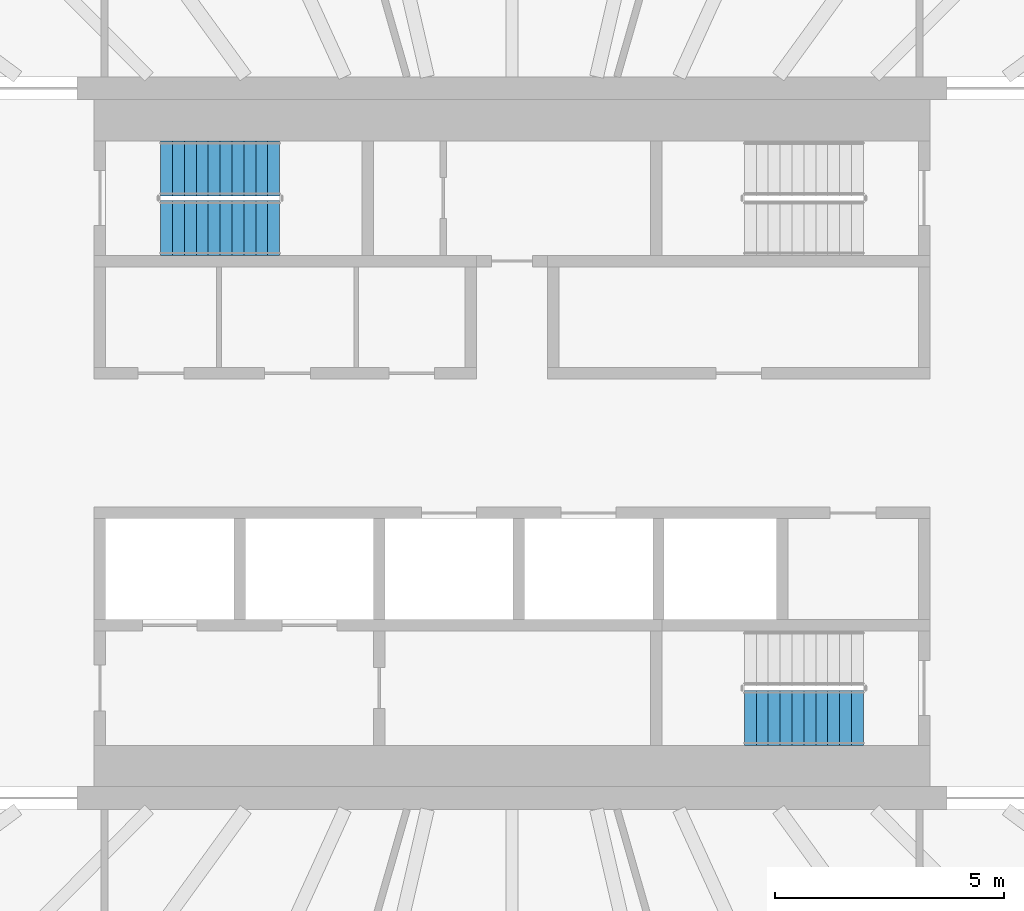
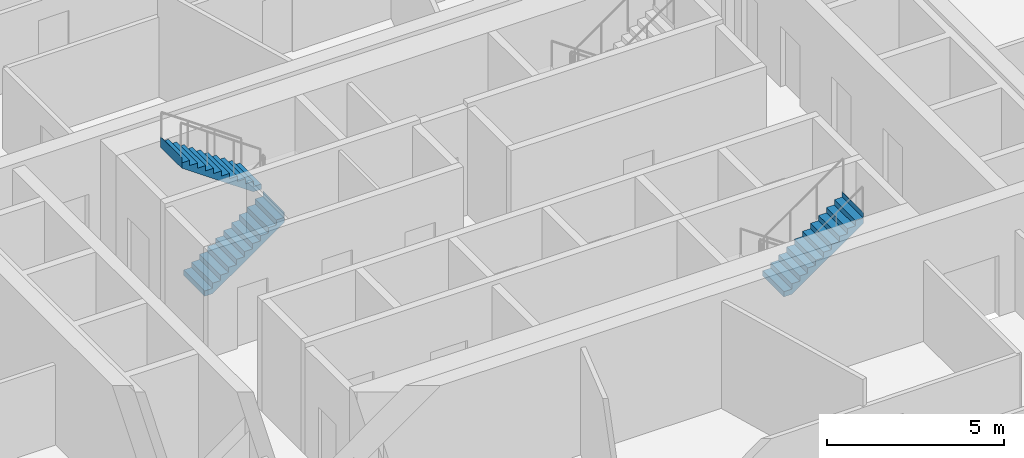
# One storey, part 15 of 22: 3 stair flights, 2 elements without a shape of their own.
"""IFC4 building model written with IfcOpenShell, lengths in metres."""

from ifc_helpers import new_model, si_unit, direction, frame, origin, place, context, subcontext, project, spatial, triangles, material, type_object, element, aggregate, save


model = new_model("IFC4")

# Units and contexts
model_context = context("Model", 3, precision=1e-05, world=origin(), true_north=direction((0.0, 1.0)))
body_context = subcontext(model_context, "Body", "Model", "MODEL_VIEW")
ifc_project = project(units=[si_unit("LENGTHUNIT", "METRE"), si_unit("AREAUNIT", "SQUARE_METRE"), si_unit("VOLUMEUNIT", "CUBIC_METRE"), si_unit("PLANEANGLEUNIT", "RADIAN"), si_unit("MASSUNIT", "GRAM", prefix="KILO")], contexts=[model_context])

# Site, building, storey
site_placement = place(None, origin())
site = spatial("IfcSite", under=ifc_project, at=site_placement, CompositionType="ELEMENT")
building_placement = place(site_placement, origin())
building = spatial("IfcBuilding", under=site, at=building_placement, Name="Sahrelin Media Tower", CompositionType="ELEMENT")
storey_placement = place(building_placement, frame((0.0, 0.0, 189.60009765625)))
storey = spatial("IfcBuildingStorey", under=building, at=storey_placement, Name="L40", CompositionType="ELEMENT", Elevation=189.60009765625)

# Stair, stair flights
ifc_material = material(Name="Concrete C40/50", Category="concrete")
stair_type = type_object("IfcStairType", Name="Exit stair 1200", PredefinedType="HALF_TURN_STAIR", material=ifc_material)
placement = place(storey_placement, origin())
stair_1 = element("IfcStair", 1, at=placement, inside=storey, type_object=stair_type, Name="L40 Exit stair ST1", PredefinedType="HALF_TURN_STAIR")
stair_flight_type = type_object("IfcStairFlightType", Name="Stair flight 1200", PredefinedType="STRAIGHT", material=ifc_material)
stair_flight_1_placement = place(storey_placement, frame((-7.675048828125, 4.699951171875, 0.0), z_axis=(0.0, 0.0, 1.0), x_axis=(1.0, 0.0, 0.0)))
stair_flight_1 = element("IfcStairFlight", 2, at=stair_flight_1_placement, type_object=stair_flight_type, Name="ST1 flight 1", NumberOfRisers=11, NumberOfTreads=10, PredefinedType="STRAIGHT", RiserHeight=0.181818182, TreadLength=0.26, context=body_context, shape_type="Tessellation", body=[
    triangles([(0.261474609375, 0.60009765625, 0.0), (0.261474609375, 0.300048828125, 0.0), (0.261474609375, 0.0, 0.0), (0.261474609375, -0.300048828125, 0.0), (0.261474609375, -0.60009765625, 0.0), (2.60009765625, 0.60009765625, 1.63525390625), (2.60009765625, 0.300048828125, 1.63525390625), (2.60009765625, 0.0, 1.63525390625), (2.60009765625, -0.300048828125, 1.63525390625), (2.60009765625, -0.60009765625, 1.63525390625), (2.60009765625, 0.60009765625, 2.0), (2.60009765625, 0.300048828125, 2.0), (2.60009765625, 0.0, 2.0), (2.60009765625, -0.300048828125, 2.0), (2.60009765625, -0.60009765625, 2.0), (2.597900390625, 0.60009765625, 2.0), (2.597900390625, 0.300048828125, 2.0), (2.597900390625, 0.0, 2.0), (2.597900390625, -0.300048828125, 2.0), (2.597900390625, -0.60009765625, 2.0), (2.597900390625, 0.60009765625, 1.818115234375), (2.597900390625, 0.300048828125, 1.818115234375), (2.597900390625, 0.0, 1.818115234375), (2.597900390625, -0.300048828125, 1.818115234375), (2.597900390625, -0.60009765625, 1.818115234375), (2.340087890625, 0.60009765625, 1.818115234375), (2.340087890625, 0.300048828125, 1.818115234375), (2.340087890625, 0.0, 1.818115234375), (2.340087890625, -0.300048828125, 1.818115234375), (2.340087890625, -0.60009765625, 1.818115234375), (2.340087890625, 0.60009765625, 1.636474609375), (2.340087890625, 0.300048828125, 1.636474609375), (2.340087890625, 0.0, 1.636474609375), (2.340087890625, -0.300048828125, 1.636474609375), (2.340087890625, -0.60009765625, 1.636474609375), (2.080078125, 0.60009765625, 1.636474609375), (2.080078125, 0.300048828125, 1.636474609375), (2.080078125, 0.0, 1.636474609375), (2.080078125, -0.300048828125, 1.636474609375), (2.080078125, -0.60009765625, 1.636474609375), (2.080078125, 0.60009765625, 1.45458984375), (2.080078125, 0.300048828125, 1.45458984375), (2.080078125, 0.0, 1.45458984375), (2.080078125, -0.300048828125, 1.45458984375), (2.080078125, -0.60009765625, 1.45458984375), (1.820068359375, 0.60009765625, 1.45458984375), (1.820068359375, 0.300048828125, 1.45458984375), (1.820068359375, 0.0, 1.45458984375), (1.820068359375, -0.300048828125, 1.45458984375), (1.820068359375, -0.60009765625, 1.45458984375), (1.820068359375, 0.60009765625, 1.272705078125), (1.820068359375, 0.300048828125, 1.272705078125), (1.820068359375, 0.0, 1.272705078125), (1.820068359375, -0.300048828125, 1.272705078125), (1.820068359375, -0.60009765625, 1.272705078125), (1.56005859375, 0.60009765625, 1.272705078125), (1.56005859375, 0.300048828125, 1.272705078125), (1.56005859375, 0.0, 1.272705078125), (1.56005859375, -0.300048828125, 1.272705078125), (1.56005859375, -0.60009765625, 1.272705078125), (1.56005859375, 0.60009765625, 1.0908203125), (1.56005859375, 0.300048828125, 1.0908203125), (1.56005859375, 0.0, 1.0908203125), (1.56005859375, -0.300048828125, 1.0908203125), (1.56005859375, -0.60009765625, 1.0908203125), (1.300048828125, 0.60009765625, 1.0908203125), (1.300048828125, 0.300048828125, 1.0908203125), (1.300048828125, 0.0, 1.0908203125), (1.300048828125, -0.300048828125, 1.0908203125), (1.300048828125, -0.60009765625, 1.0908203125), (1.300048828125, 0.60009765625, 0.9091796875), (1.300048828125, 0.300048828125, 0.9091796875), (1.300048828125, 0.0, 0.9091796875), (1.300048828125, -0.300048828125, 0.9091796875), (1.300048828125, -0.60009765625, 0.9091796875), (1.0400390625, 0.60009765625, 0.9091796875), (1.0400390625, 0.300048828125, 0.9091796875), (1.0400390625, 0.0, 0.9091796875), (1.0400390625, -0.300048828125, 0.9091796875), (1.0400390625, -0.60009765625, 0.9091796875), (1.0400390625, 0.60009765625, 0.727294921875), (1.0400390625, 0.300048828125, 0.727294921875), (1.0400390625, 0.0, 0.727294921875), (1.0400390625, -0.300048828125, 0.727294921875), (1.0400390625, -0.60009765625, 0.727294921875), (0.780029296875, 0.60009765625, 0.727294921875), (0.780029296875, 0.300048828125, 0.727294921875), (0.780029296875, 0.0, 0.727294921875), (0.780029296875, -0.300048828125, 0.727294921875), (0.780029296875, -0.60009765625, 0.727294921875), (0.780029296875, 0.60009765625, 0.54541015625), (0.780029296875, 0.300048828125, 0.54541015625), (0.780029296875, 0.0, 0.54541015625), (0.780029296875, -0.300048828125, 0.54541015625), (0.780029296875, -0.60009765625, 0.54541015625), (0.52001953125, 0.60009765625, 0.54541015625), (0.52001953125, 0.300048828125, 0.54541015625), (0.52001953125, 0.0, 0.54541015625), (0.52001953125, -0.300048828125, 0.54541015625), (0.52001953125, -0.60009765625, 0.54541015625), (0.52001953125, 0.60009765625, 0.363525390625), (0.52001953125, 0.300048828125, 0.363525390625), (0.52001953125, 0.0, 0.363525390625), (0.52001953125, -0.300048828125, 0.363525390625), (0.52001953125, -0.60009765625, 0.363525390625), (0.260009765625, 0.60009765625, 0.363525390625), (0.260009765625, 0.300048828125, 0.363525390625), (0.260009765625, 0.0, 0.363525390625), (0.260009765625, -0.300048828125, 0.363525390625), (0.260009765625, -0.60009765625, 0.363525390625), (0.260009765625, 0.60009765625, 0.181884765625), (0.260009765625, 0.300048828125, 0.181884765625), (0.260009765625, 0.0, 0.181884765625), (0.260009765625, -0.300048828125, 0.181884765625), (0.260009765625, -0.60009765625, 0.181884765625), (0.0, 0.60009765625, 0.181884765625), (0.0, 0.300048828125, 0.181884765625), (0.0, 0.0, 0.181884765625), (0.0, -0.300048828125, 0.181884765625), (0.0, -0.60009765625, 0.181884765625), (0.0, 0.60009765625, 0.0), (0.0, 0.300048828125, 0.0), (0.0, 0.0, 0.0), (0.0, -0.300048828125, 0.0), (0.0, -0.60009765625, 0.0)], [[1, 6, 7], [1, 7, 2], [2, 7, 8], [2, 8, 3], [3, 8, 9], [3, 9, 4], [4, 9, 10], [4, 10, 5], [6, 11, 12], [6, 12, 7], [7, 12, 13], [7, 13, 8], [8, 13, 14], [8, 14, 9], [9, 14, 15], [9, 15, 10], [11, 16, 17], [11, 17, 12], [12, 17, 18], [12, 18, 13], [13, 18, 19], [13, 19, 14], [14, 19, 20], [14, 20, 15], [16, 21, 22], [16, 22, 17], [17, 22, 23], [17, 23, 18], [18, 23, 24], [18, 24, 19], [19, 24, 25], [19, 25, 20], [21, 26, 27], [21, 27, 22], [22, 27, 28], [22, 28, 23], [23, 28, 29], [23, 29, 24], [24, 29, 30], [24, 30, 25], [26, 31, 32], [26, 32, 27], [27, 32, 33], [27, 33, 28], [28, 33, 34], [28, 34, 29], [29, 34, 35], [29, 35, 30], [31, 36, 37], [31, 37, 32], [32, 37, 38], [32, 38, 33], [33, 38, 39], [33, 39, 34], [34, 39, 40], [34, 40, 35], [36, 41, 42], [36, 42, 37], [37, 42, 43], [37, 43, 38], [38, 43, 44], [38, 44, 39], [39, 44, 45], [39, 45, 40], [41, 46, 47], [41, 47, 42], [42, 47, 48], [42, 48, 43], [43, 48, 49], [43, 49, 44], [44, 49, 50], [44, 50, 45], [46, 51, 52], [46, 52, 47], [47, 52, 53], [47, 53, 48], [48, 53, 54], [48, 54, 49], [49, 54, 55], [49, 55, 50], [51, 56, 57], [51, 57, 52], [52, 57, 58], [52, 58, 53], [53, 58, 59], [53, 59, 54], [54, 59, 60], [54, 60, 55], [56, 61, 62], [56, 62, 57], [57, 62, 63], [57, 63, 58], [58, 63, 64], [58, 64, 59], [59, 64, 65], [59, 65, 60], [61, 66, 67], [61, 67, 62], [62, 67, 68], [62, 68, 63], [63, 68, 69], [63, 69, 64], [64, 69, 70], [64, 70, 65], [66, 71, 72], [66, 72, 67], [67, 72, 73], [67, 73, 68], [68, 73, 74], [68, 74, 69], [69, 74, 75], [69, 75, 70], [71, 76, 77], [71, 77, 72], [72, 77, 78], [72, 78, 73], [73, 78, 79], [73, 79, 74], [74, 79, 80], [74, 80, 75], [76, 81, 82], [76, 82, 77], [77, 82, 83], [77, 83, 78], [78, 83, 84], [78, 84, 79], [79, 84, 85], [79, 85, 80], [81, 86, 87], [81, 87, 82], [82, 87, 88], [82, 88, 83], [83, 88, 89], [83, 89, 84], [84, 89, 90], [84, 90, 85], [86, 91, 92], [86, 92, 87], [87, 92, 93], [87, 93, 88], [88, 93, 94], [88, 94, 89], [89, 94, 95], [89, 95, 90], [91, 96, 97], [91, 97, 92], [92, 97, 98], [92, 98, 93], [93, 98, 99], [93, 99, 94], [94, 99, 100], [94, 100, 95], [96, 101, 102], [96, 102, 97], [97, 102, 103], [97, 103, 98], [98, 103, 104], [98, 104, 99], [99, 104, 105], [99, 105, 100], [101, 106, 107], [101, 107, 102], [102, 107, 108], [102, 108, 103], [103, 108, 109], [103, 109, 104], [104, 109, 110], [104, 110, 105], [106, 111, 112], [106, 112, 107], [107, 112, 113], [107, 113, 108], [108, 113, 114], [108, 114, 109], [109, 114, 115], [109, 115, 110], [111, 116, 117], [111, 117, 112], [112, 117, 118], [112, 118, 113], [113, 118, 119], [113, 119, 114], [114, 119, 120], [114, 120, 115], [116, 121, 122], [116, 122, 117], [117, 122, 123], [117, 123, 118], [118, 123, 124], [118, 124, 119], [119, 124, 125], [119, 125, 120], [121, 1, 2], [121, 2, 122], [122, 2, 3], [122, 3, 123], [123, 3, 4], [123, 4, 124], [124, 4, 5], [124, 5, 125], [115, 120, 125], [111, 121, 116], [115, 105, 110], [111, 106, 101], [105, 95, 100], [101, 96, 91], [95, 85, 90], [91, 86, 81], [85, 75, 80], [81, 76, 71], [75, 65, 70], [71, 66, 61], [65, 55, 60], [61, 56, 51], [55, 45, 50], [51, 46, 41], [45, 35, 40], [41, 36, 31], [35, 25, 30], [31, 26, 21], [25, 15, 20], [21, 16, 11], [125, 5, 115], [121, 111, 1], [25, 10, 15], [21, 11, 6], [105, 115, 5], [101, 1, 111], [35, 10, 25], [31, 21, 6], [95, 105, 5], [91, 1, 101], [45, 10, 35], [41, 31, 6], [85, 95, 5], [81, 1, 91], [55, 10, 45], [51, 41, 6], [75, 85, 5], [71, 1, 81], [65, 10, 55], [61, 51, 6], [5, 10, 75], [1, 71, 6], [75, 10, 65], [71, 61, 6]], closed=True),
])
stair_flight_2_placement = place(storey_placement, frame((-5.074951171875, 6.0, 2.0), z_axis=(0.0, 0.0, 1.0), x_axis=(-1.0, 0.0, 0.0)))
stair_flight_2 = element("IfcStairFlight", 3, at=stair_flight_2_placement, type_object=stair_flight_type, Name="ST1 flight 2", NumberOfRisers=11, NumberOfTreads=10, PredefinedType="STRAIGHT", RiserHeight=0.181818182, TreadLength=0.26, context=body_context, shape_type="Tessellation", body=[
    triangles([(0.261474609375, 0.60009765625, 0.0), (0.261474609375, 0.300048828125, 0.0), (0.261474609375, 0.0, 0.0), (0.261474609375, -0.300048828125, 0.0), (0.261474609375, -0.60009765625, 0.0), (2.60009765625, 0.60009765625, 1.63525390625), (2.60009765625, 0.300048828125, 1.63525390625), (2.60009765625, 0.0, 1.63525390625), (2.60009765625, -0.300048828125, 1.63525390625), (2.60009765625, -0.60009765625, 1.63525390625), (2.60009765625, 0.60009765625, 2.0), (2.60009765625, 0.300048828125, 2.0), (2.60009765625, 0.0, 2.0), (2.60009765625, -0.300048828125, 2.0), (2.60009765625, -0.60009765625, 2.0), (2.597900390625, 0.60009765625, 2.0), (2.597900390625, 0.300048828125, 2.0), (2.597900390625, 0.0, 2.0), (2.597900390625, -0.300048828125, 2.0), (2.597900390625, -0.60009765625, 2.0), (2.597900390625, 0.60009765625, 1.818115234375), (2.597900390625, 0.300048828125, 1.818115234375), (2.597900390625, 0.0, 1.818115234375), (2.597900390625, -0.300048828125, 1.818115234375), (2.597900390625, -0.60009765625, 1.818115234375), (2.340087890625, 0.60009765625, 1.818115234375), (2.340087890625, 0.300048828125, 1.818115234375), (2.340087890625, 0.0, 1.818115234375), (2.340087890625, -0.300048828125, 1.818115234375), (2.340087890625, -0.60009765625, 1.818115234375), (2.340087890625, 0.60009765625, 1.636474609375), (2.340087890625, 0.300048828125, 1.636474609375), (2.340087890625, 0.0, 1.636474609375), (2.340087890625, -0.300048828125, 1.636474609375), (2.340087890625, -0.60009765625, 1.636474609375), (2.080078125, 0.60009765625, 1.636474609375), (2.080078125, 0.300048828125, 1.636474609375), (2.080078125, 0.0, 1.636474609375), (2.080078125, -0.300048828125, 1.636474609375), (2.080078125, -0.60009765625, 1.636474609375), (2.080078125, 0.60009765625, 1.45458984375), (2.080078125, 0.300048828125, 1.45458984375), (2.080078125, 0.0, 1.45458984375), (2.080078125, -0.300048828125, 1.45458984375), (2.080078125, -0.60009765625, 1.45458984375), (1.820068359375, 0.60009765625, 1.45458984375), (1.820068359375, 0.300048828125, 1.45458984375), (1.820068359375, 0.0, 1.45458984375), (1.820068359375, -0.300048828125, 1.45458984375), (1.820068359375, -0.60009765625, 1.45458984375), (1.820068359375, 0.60009765625, 1.272705078125), (1.820068359375, 0.300048828125, 1.272705078125), (1.820068359375, 0.0, 1.272705078125), (1.820068359375, -0.300048828125, 1.272705078125), (1.820068359375, -0.60009765625, 1.272705078125), (1.56005859375, 0.60009765625, 1.272705078125), (1.56005859375, 0.300048828125, 1.272705078125), (1.56005859375, 0.0, 1.272705078125), (1.56005859375, -0.300048828125, 1.272705078125), (1.56005859375, -0.60009765625, 1.272705078125), (1.56005859375, 0.60009765625, 1.0908203125), (1.56005859375, 0.300048828125, 1.0908203125), (1.56005859375, 0.0, 1.0908203125), (1.56005859375, -0.300048828125, 1.0908203125), (1.56005859375, -0.60009765625, 1.0908203125), (1.300048828125, 0.60009765625, 1.0908203125), (1.300048828125, 0.300048828125, 1.0908203125), (1.300048828125, 0.0, 1.0908203125), (1.300048828125, -0.300048828125, 1.0908203125), (1.300048828125, -0.60009765625, 1.0908203125), (1.300048828125, 0.60009765625, 0.9091796875), (1.300048828125, 0.300048828125, 0.9091796875), (1.300048828125, 0.0, 0.9091796875), (1.300048828125, -0.300048828125, 0.9091796875), (1.300048828125, -0.60009765625, 0.9091796875), (1.0400390625, 0.60009765625, 0.9091796875), (1.0400390625, 0.300048828125, 0.9091796875), (1.0400390625, 0.0, 0.9091796875), (1.0400390625, -0.300048828125, 0.9091796875), (1.0400390625, -0.60009765625, 0.9091796875), (1.0400390625, 0.60009765625, 0.727294921875), (1.0400390625, 0.300048828125, 0.727294921875), (1.0400390625, 0.0, 0.727294921875), (1.0400390625, -0.300048828125, 0.727294921875), (1.0400390625, -0.60009765625, 0.727294921875), (0.780029296875, 0.60009765625, 0.727294921875), (0.780029296875, 0.300048828125, 0.727294921875), (0.780029296875, 0.0, 0.727294921875), (0.780029296875, -0.300048828125, 0.727294921875), (0.780029296875, -0.60009765625, 0.727294921875), (0.780029296875, 0.60009765625, 0.54541015625), (0.780029296875, 0.300048828125, 0.54541015625), (0.780029296875, 0.0, 0.54541015625), (0.780029296875, -0.300048828125, 0.54541015625), (0.780029296875, -0.60009765625, 0.54541015625), (0.52001953125, 0.60009765625, 0.54541015625), (0.52001953125, 0.300048828125, 0.54541015625), (0.52001953125, 0.0, 0.54541015625), (0.52001953125, -0.300048828125, 0.54541015625), (0.52001953125, -0.60009765625, 0.54541015625), (0.52001953125, 0.60009765625, 0.363525390625), (0.52001953125, 0.300048828125, 0.363525390625), (0.52001953125, 0.0, 0.363525390625), (0.52001953125, -0.300048828125, 0.363525390625), (0.52001953125, -0.60009765625, 0.363525390625), (0.260009765625, 0.60009765625, 0.363525390625), (0.260009765625, 0.300048828125, 0.363525390625), (0.260009765625, 0.0, 0.363525390625), (0.260009765625, -0.300048828125, 0.363525390625), (0.260009765625, -0.60009765625, 0.363525390625), (0.260009765625, 0.60009765625, 0.181884765625), (0.260009765625, 0.300048828125, 0.181884765625), (0.260009765625, 0.0, 0.181884765625), (0.260009765625, -0.300048828125, 0.181884765625), (0.260009765625, -0.60009765625, 0.181884765625), (0.0, 0.60009765625, 0.181884765625), (0.0, 0.300048828125, 0.181884765625), (0.0, 0.0, 0.181884765625), (0.0, -0.300048828125, 0.181884765625), (0.0, -0.60009765625, 0.181884765625), (0.0, 0.60009765625, 0.0), (0.0, 0.300048828125, 0.0), (0.0, 0.0, 0.0), (0.0, -0.300048828125, 0.0), (0.0, -0.60009765625, 0.0)], [[1, 6, 7], [1, 7, 2], [2, 7, 8], [2, 8, 3], [3, 8, 9], [3, 9, 4], [4, 9, 10], [4, 10, 5], [6, 11, 12], [6, 12, 7], [7, 12, 13], [7, 13, 8], [8, 13, 14], [8, 14, 9], [9, 14, 15], [9, 15, 10], [11, 16, 17], [11, 17, 12], [12, 17, 18], [12, 18, 13], [13, 18, 19], [13, 19, 14], [14, 19, 20], [14, 20, 15], [16, 21, 22], [16, 22, 17], [17, 22, 23], [17, 23, 18], [18, 23, 24], [18, 24, 19], [19, 24, 25], [19, 25, 20], [21, 26, 27], [21, 27, 22], [22, 27, 28], [22, 28, 23], [23, 28, 29], [23, 29, 24], [24, 29, 30], [24, 30, 25], [26, 31, 32], [26, 32, 27], [27, 32, 33], [27, 33, 28], [28, 33, 34], [28, 34, 29], [29, 34, 35], [29, 35, 30], [31, 36, 37], [31, 37, 32], [32, 37, 38], [32, 38, 33], [33, 38, 39], [33, 39, 34], [34, 39, 40], [34, 40, 35], [36, 41, 42], [36, 42, 37], [37, 42, 43], [37, 43, 38], [38, 43, 44], [38, 44, 39], [39, 44, 45], [39, 45, 40], [41, 46, 47], [41, 47, 42], [42, 47, 48], [42, 48, 43], [43, 48, 49], [43, 49, 44], [44, 49, 50], [44, 50, 45], [46, 51, 52], [46, 52, 47], [47, 52, 53], [47, 53, 48], [48, 53, 54], [48, 54, 49], [49, 54, 55], [49, 55, 50], [51, 56, 57], [51, 57, 52], [52, 57, 58], [52, 58, 53], [53, 58, 59], [53, 59, 54], [54, 59, 60], [54, 60, 55], [56, 61, 62], [56, 62, 57], [57, 62, 63], [57, 63, 58], [58, 63, 64], [58, 64, 59], [59, 64, 65], [59, 65, 60], [61, 66, 67], [61, 67, 62], [62, 67, 68], [62, 68, 63], [63, 68, 69], [63, 69, 64], [64, 69, 70], [64, 70, 65], [66, 71, 72], [66, 72, 67], [67, 72, 73], [67, 73, 68], [68, 73, 74], [68, 74, 69], [69, 74, 75], [69, 75, 70], [71, 76, 77], [71, 77, 72], [72, 77, 78], [72, 78, 73], [73, 78, 79], [73, 79, 74], [74, 79, 80], [74, 80, 75], [76, 81, 82], [76, 82, 77], [77, 82, 83], [77, 83, 78], [78, 83, 84], [78, 84, 79], [79, 84, 85], [79, 85, 80], [81, 86, 87], [81, 87, 82], [82, 87, 88], [82, 88, 83], [83, 88, 89], [83, 89, 84], [84, 89, 90], [84, 90, 85], [86, 91, 92], [86, 92, 87], [87, 92, 93], [87, 93, 88], [88, 93, 94], [88, 94, 89], [89, 94, 95], [89, 95, 90], [91, 96, 97], [91, 97, 92], [92, 97, 98], [92, 98, 93], [93, 98, 99], [93, 99, 94], [94, 99, 100], [94, 100, 95], [96, 101, 102], [96, 102, 97], [97, 102, 103], [97, 103, 98], [98, 103, 104], [98, 104, 99], [99, 104, 105], [99, 105, 100], [101, 106, 107], [101, 107, 102], [102, 107, 108], [102, 108, 103], [103, 108, 109], [103, 109, 104], [104, 109, 110], [104, 110, 105], [106, 111, 112], [106, 112, 107], [107, 112, 113], [107, 113, 108], [108, 113, 114], [108, 114, 109], [109, 114, 115], [109, 115, 110], [111, 116, 117], [111, 117, 112], [112, 117, 118], [112, 118, 113], [113, 118, 119], [113, 119, 114], [114, 119, 120], [114, 120, 115], [116, 121, 122], [116, 122, 117], [117, 122, 123], [117, 123, 118], [118, 123, 124], [118, 124, 119], [119, 124, 125], [119, 125, 120], [121, 1, 2], [121, 2, 122], [122, 2, 3], [122, 3, 123], [123, 3, 4], [123, 4, 124], [124, 4, 5], [124, 5, 125], [115, 120, 125], [111, 121, 116], [115, 105, 110], [111, 106, 101], [105, 95, 100], [101, 96, 91], [95, 85, 90], [91, 86, 81], [85, 75, 80], [81, 76, 71], [75, 65, 70], [71, 66, 61], [65, 55, 60], [61, 56, 51], [55, 45, 50], [51, 46, 41], [45, 35, 40], [41, 36, 31], [35, 25, 30], [31, 26, 21], [25, 15, 20], [21, 16, 11], [125, 5, 115], [121, 111, 1], [25, 10, 15], [21, 11, 6], [105, 115, 5], [101, 1, 111], [35, 10, 25], [31, 21, 6], [95, 105, 5], [91, 1, 101], [45, 10, 35], [41, 31, 6], [85, 95, 5], [81, 1, 91], [55, 10, 45], [51, 41, 6], [75, 85, 5], [71, 1, 81], [65, 10, 55], [61, 51, 6], [5, 10, 75], [1, 71, 6], [75, 10, 65], [71, 61, 6]], closed=True),
])
aggregate(stair_1, [stair_flight_1, stair_flight_2])

# Stair, stair flight
stair_2 = element("IfcStair", 4, at=placement, inside=storey, type_object=stair_type, Name="L40 Exit stair ST2", PredefinedType="HALF_TURN_STAIR")
stair_flight_3_placement = place(storey_placement, frame((5.074951171875, -6.0, 2.0), z_axis=(0.0, 0.0, 1.0), x_axis=(1.0, 0.0, 0.0)))
stair_flight_3 = element("IfcStairFlight", 5, at=stair_flight_3_placement, type_object=stair_flight_type, Name="ST2 flight 2", NumberOfRisers=11, NumberOfTreads=10, PredefinedType="STRAIGHT", RiserHeight=0.181818182, TreadLength=0.26, context=body_context, shape_type="Tessellation", body=[
    triangles([(0.261474609375, 0.60009765625, 0.0), (0.261474609375, 0.300048828125, 0.0), (0.261474609375, 0.0, 0.0), (0.261474609375, -0.300048828125, 0.0), (0.261474609375, -0.60009765625, 0.0), (2.60009765625, 0.60009765625, 1.63525390625), (2.60009765625, 0.300048828125, 1.63525390625), (2.60009765625, 0.0, 1.63525390625), (2.60009765625, -0.300048828125, 1.63525390625), (2.60009765625, -0.60009765625, 1.63525390625), (2.60009765625, 0.60009765625, 2.0), (2.60009765625, 0.300048828125, 2.0), (2.60009765625, 0.0, 2.0), (2.60009765625, -0.300048828125, 2.0), (2.60009765625, -0.60009765625, 2.0), (2.597900390625, 0.60009765625, 2.0), (2.597900390625, 0.300048828125, 2.0), (2.597900390625, 0.0, 2.0), (2.597900390625, -0.300048828125, 2.0), (2.597900390625, -0.60009765625, 2.0), (2.597900390625, 0.60009765625, 1.818115234375), (2.597900390625, 0.300048828125, 1.818115234375), (2.597900390625, 0.0, 1.818115234375), (2.597900390625, -0.300048828125, 1.818115234375), (2.597900390625, -0.60009765625, 1.818115234375), (2.340087890625, 0.60009765625, 1.818115234375), (2.340087890625, 0.300048828125, 1.818115234375), (2.340087890625, 0.0, 1.818115234375), (2.340087890625, -0.300048828125, 1.818115234375), (2.340087890625, -0.60009765625, 1.818115234375), (2.340087890625, 0.60009765625, 1.636474609375), (2.340087890625, 0.300048828125, 1.636474609375), (2.340087890625, 0.0, 1.636474609375), (2.340087890625, -0.300048828125, 1.636474609375), (2.340087890625, -0.60009765625, 1.636474609375), (2.080078125, 0.60009765625, 1.636474609375), (2.080078125, 0.300048828125, 1.636474609375), (2.080078125, 0.0, 1.636474609375), (2.080078125, -0.300048828125, 1.636474609375), (2.080078125, -0.60009765625, 1.636474609375), (2.080078125, 0.60009765625, 1.45458984375), (2.080078125, 0.300048828125, 1.45458984375), (2.080078125, 0.0, 1.45458984375), (2.080078125, -0.300048828125, 1.45458984375), (2.080078125, -0.60009765625, 1.45458984375), (1.820068359375, 0.60009765625, 1.45458984375), (1.820068359375, 0.300048828125, 1.45458984375), (1.820068359375, 0.0, 1.45458984375), (1.820068359375, -0.300048828125, 1.45458984375), (1.820068359375, -0.60009765625, 1.45458984375), (1.820068359375, 0.60009765625, 1.272705078125), (1.820068359375, 0.300048828125, 1.272705078125), (1.820068359375, 0.0, 1.272705078125), (1.820068359375, -0.300048828125, 1.272705078125), (1.820068359375, -0.60009765625, 1.272705078125), (1.56005859375, 0.60009765625, 1.272705078125), (1.56005859375, 0.300048828125, 1.272705078125), (1.56005859375, 0.0, 1.272705078125), (1.56005859375, -0.300048828125, 1.272705078125), (1.56005859375, -0.60009765625, 1.272705078125), (1.56005859375, 0.60009765625, 1.0908203125), (1.56005859375, 0.300048828125, 1.0908203125), (1.56005859375, 0.0, 1.0908203125), (1.56005859375, -0.300048828125, 1.0908203125), (1.56005859375, -0.60009765625, 1.0908203125), (1.300048828125, 0.60009765625, 1.0908203125), (1.300048828125, 0.300048828125, 1.0908203125), (1.300048828125, 0.0, 1.0908203125), (1.300048828125, -0.300048828125, 1.0908203125), (1.300048828125, -0.60009765625, 1.0908203125), (1.300048828125, 0.60009765625, 0.9091796875), (1.300048828125, 0.300048828125, 0.9091796875), (1.300048828125, 0.0, 0.9091796875), (1.300048828125, -0.300048828125, 0.9091796875), (1.300048828125, -0.60009765625, 0.9091796875), (1.0400390625, 0.60009765625, 0.9091796875), (1.0400390625, 0.300048828125, 0.9091796875), (1.0400390625, 0.0, 0.9091796875), (1.0400390625, -0.300048828125, 0.9091796875), (1.0400390625, -0.60009765625, 0.9091796875), (1.0400390625, 0.60009765625, 0.727294921875), (1.0400390625, 0.300048828125, 0.727294921875), (1.0400390625, 0.0, 0.727294921875), (1.0400390625, -0.300048828125, 0.727294921875), (1.0400390625, -0.60009765625, 0.727294921875), (0.780029296875, 0.60009765625, 0.727294921875), (0.780029296875, 0.300048828125, 0.727294921875), (0.780029296875, 0.0, 0.727294921875), (0.780029296875, -0.300048828125, 0.727294921875), (0.780029296875, -0.60009765625, 0.727294921875), (0.780029296875, 0.60009765625, 0.54541015625), (0.780029296875, 0.300048828125, 0.54541015625), (0.780029296875, 0.0, 0.54541015625), (0.780029296875, -0.300048828125, 0.54541015625), (0.780029296875, -0.60009765625, 0.54541015625), (0.52001953125, 0.60009765625, 0.54541015625), (0.52001953125, 0.300048828125, 0.54541015625), (0.52001953125, 0.0, 0.54541015625), (0.52001953125, -0.300048828125, 0.54541015625), (0.52001953125, -0.60009765625, 0.54541015625), (0.52001953125, 0.60009765625, 0.363525390625), (0.52001953125, 0.300048828125, 0.363525390625), (0.52001953125, 0.0, 0.363525390625), (0.52001953125, -0.300048828125, 0.363525390625), (0.52001953125, -0.60009765625, 0.363525390625), (0.260009765625, 0.60009765625, 0.363525390625), (0.260009765625, 0.300048828125, 0.363525390625), (0.260009765625, 0.0, 0.363525390625), (0.260009765625, -0.300048828125, 0.363525390625), (0.260009765625, -0.60009765625, 0.363525390625), (0.260009765625, 0.60009765625, 0.181884765625), (0.260009765625, 0.300048828125, 0.181884765625), (0.260009765625, 0.0, 0.181884765625), (0.260009765625, -0.300048828125, 0.181884765625), (0.260009765625, -0.60009765625, 0.181884765625), (0.0, 0.60009765625, 0.181884765625), (0.0, 0.300048828125, 0.181884765625), (0.0, 0.0, 0.181884765625), (0.0, -0.300048828125, 0.181884765625), (0.0, -0.60009765625, 0.181884765625), (0.0, 0.60009765625, 0.0), (0.0, 0.300048828125, 0.0), (0.0, 0.0, 0.0), (0.0, -0.300048828125, 0.0), (0.0, -0.60009765625, 0.0)], [[1, 6, 7], [1, 7, 2], [2, 7, 8], [2, 8, 3], [3, 8, 9], [3, 9, 4], [4, 9, 10], [4, 10, 5], [6, 11, 12], [6, 12, 7], [7, 12, 13], [7, 13, 8], [8, 13, 14], [8, 14, 9], [9, 14, 15], [9, 15, 10], [11, 16, 17], [11, 17, 12], [12, 17, 18], [12, 18, 13], [13, 18, 19], [13, 19, 14], [14, 19, 20], [14, 20, 15], [16, 21, 22], [16, 22, 17], [17, 22, 23], [17, 23, 18], [18, 23, 24], [18, 24, 19], [19, 24, 25], [19, 25, 20], [21, 26, 27], [21, 27, 22], [22, 27, 28], [22, 28, 23], [23, 28, 29], [23, 29, 24], [24, 29, 30], [24, 30, 25], [26, 31, 32], [26, 32, 27], [27, 32, 33], [27, 33, 28], [28, 33, 34], [28, 34, 29], [29, 34, 35], [29, 35, 30], [31, 36, 37], [31, 37, 32], [32, 37, 38], [32, 38, 33], [33, 38, 39], [33, 39, 34], [34, 39, 40], [34, 40, 35], [36, 41, 42], [36, 42, 37], [37, 42, 43], [37, 43, 38], [38, 43, 44], [38, 44, 39], [39, 44, 45], [39, 45, 40], [41, 46, 47], [41, 47, 42], [42, 47, 48], [42, 48, 43], [43, 48, 49], [43, 49, 44], [44, 49, 50], [44, 50, 45], [46, 51, 52], [46, 52, 47], [47, 52, 53], [47, 53, 48], [48, 53, 54], [48, 54, 49], [49, 54, 55], [49, 55, 50], [51, 56, 57], [51, 57, 52], [52, 57, 58], [52, 58, 53], [53, 58, 59], [53, 59, 54], [54, 59, 60], [54, 60, 55], [56, 61, 62], [56, 62, 57], [57, 62, 63], [57, 63, 58], [58, 63, 64], [58, 64, 59], [59, 64, 65], [59, 65, 60], [61, 66, 67], [61, 67, 62], [62, 67, 68], [62, 68, 63], [63, 68, 69], [63, 69, 64], [64, 69, 70], [64, 70, 65], [66, 71, 72], [66, 72, 67], [67, 72, 73], [67, 73, 68], [68, 73, 74], [68, 74, 69], [69, 74, 75], [69, 75, 70], [71, 76, 77], [71, 77, 72], [72, 77, 78], [72, 78, 73], [73, 78, 79], [73, 79, 74], [74, 79, 80], [74, 80, 75], [76, 81, 82], [76, 82, 77], [77, 82, 83], [77, 83, 78], [78, 83, 84], [78, 84, 79], [79, 84, 85], [79, 85, 80], [81, 86, 87], [81, 87, 82], [82, 87, 88], [82, 88, 83], [83, 88, 89], [83, 89, 84], [84, 89, 90], [84, 90, 85], [86, 91, 92], [86, 92, 87], [87, 92, 93], [87, 93, 88], [88, 93, 94], [88, 94, 89], [89, 94, 95], [89, 95, 90], [91, 96, 97], [91, 97, 92], [92, 97, 98], [92, 98, 93], [93, 98, 99], [93, 99, 94], [94, 99, 100], [94, 100, 95], [96, 101, 102], [96, 102, 97], [97, 102, 103], [97, 103, 98], [98, 103, 104], [98, 104, 99], [99, 104, 105], [99, 105, 100], [101, 106, 107], [101, 107, 102], [102, 107, 108], [102, 108, 103], [103, 108, 109], [103, 109, 104], [104, 109, 110], [104, 110, 105], [106, 111, 112], [106, 112, 107], [107, 112, 113], [107, 113, 108], [108, 113, 114], [108, 114, 109], [109, 114, 115], [109, 115, 110], [111, 116, 117], [111, 117, 112], [112, 117, 118], [112, 118, 113], [113, 118, 119], [113, 119, 114], [114, 119, 120], [114, 120, 115], [116, 121, 122], [116, 122, 117], [117, 122, 123], [117, 123, 118], [118, 123, 124], [118, 124, 119], [119, 124, 125], [119, 125, 120], [121, 1, 2], [121, 2, 122], [122, 2, 3], [122, 3, 123], [123, 3, 4], [123, 4, 124], [124, 4, 5], [124, 5, 125], [115, 120, 125], [111, 121, 116], [115, 105, 110], [111, 106, 101], [105, 95, 100], [101, 96, 91], [95, 85, 90], [91, 86, 81], [85, 75, 80], [81, 76, 71], [75, 65, 70], [71, 66, 61], [65, 55, 60], [61, 56, 51], [55, 45, 50], [51, 46, 41], [45, 35, 40], [41, 36, 31], [35, 25, 30], [31, 26, 21], [25, 15, 20], [21, 16, 11], [125, 5, 115], [121, 111, 1], [25, 10, 15], [21, 11, 6], [105, 115, 5], [101, 1, 111], [35, 10, 25], [31, 21, 6], [95, 105, 5], [91, 1, 101], [45, 10, 35], [41, 31, 6], [85, 95, 5], [81, 1, 91], [55, 10, 45], [51, 41, 6], [75, 85, 5], [71, 1, 81], [65, 10, 55], [61, 51, 6], [5, 10, 75], [1, 71, 6], [75, 10, 65], [71, 61, 6]], closed=True),
])
aggregate(stair_2, [stair_flight_3])

save(model, "model.ifc")
